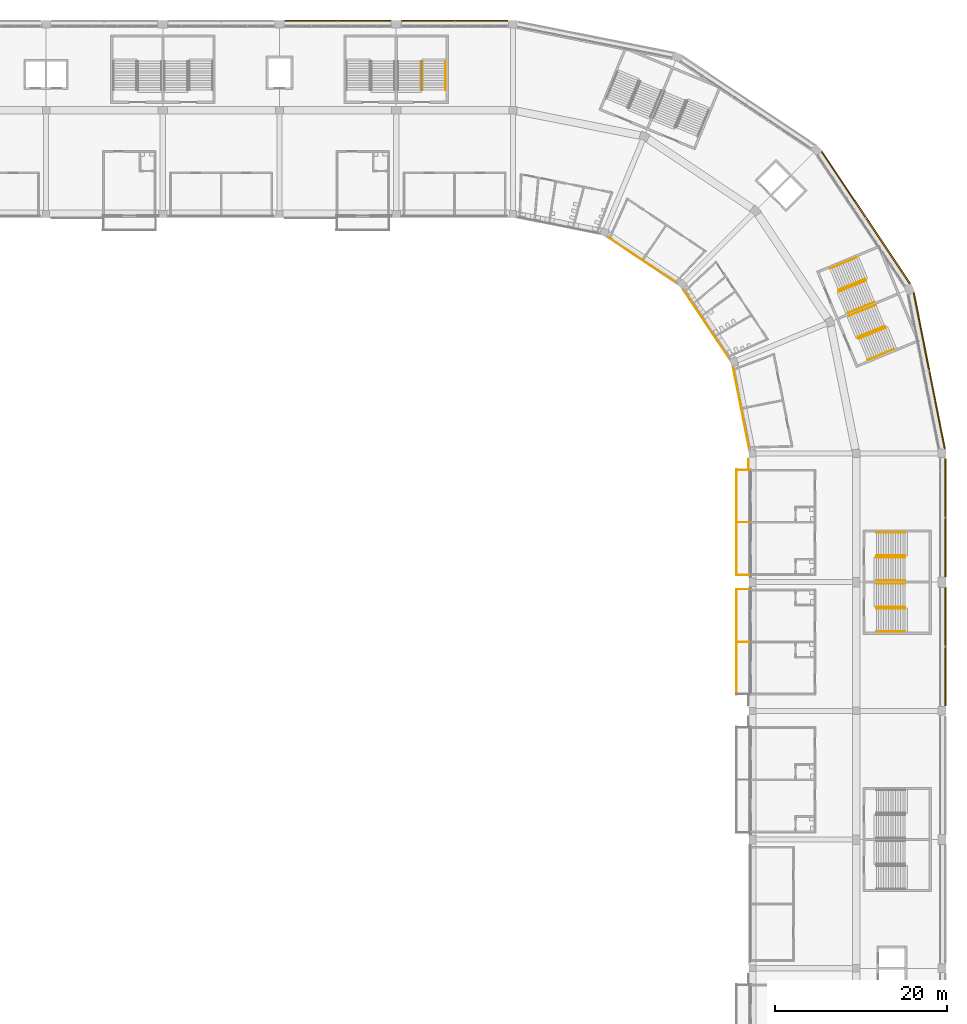
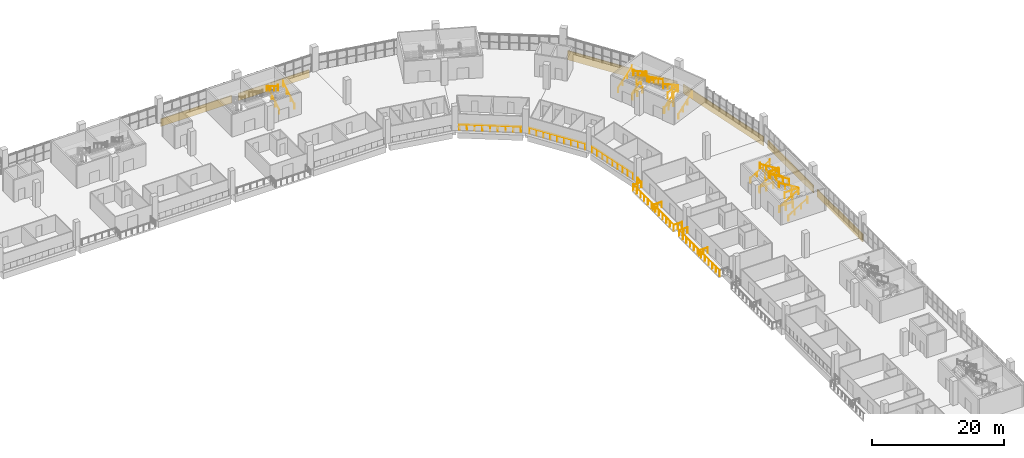
# One storey, part 191 of 199: 38 railings, 6 coverings.
"""IFC4 building model written with IfcOpenShell, lengths in metres."""

from ifc_helpers import new_model, si_unit, direction, frame, origin, origin_2d, place, context, subcontext, project, spatial, polyline, circle, outline, extrude, material, layer, layer_set, type_object, element, save


model = new_model("IFC4")

# Units and contexts
model_context = context("Model", 3, precision=1e-05, world=origin(), true_north=direction((0.0, 1.0)))
body_context = subcontext(model_context, "Body", "Model", "MODEL_VIEW")
ifc_project = project(units=[si_unit("LENGTHUNIT", "METRE"), si_unit("AREAUNIT", "SQUARE_METRE"), si_unit("VOLUMEUNIT", "CUBIC_METRE"), si_unit("PLANEANGLEUNIT", "RADIAN"), si_unit("MASSUNIT", "GRAM", prefix="KILO")], contexts=[model_context])

# Site, building, storey
site_placement = place(None, origin())
site = spatial("IfcSite", under=ifc_project, at=site_placement, CompositionType="ELEMENT")
building_placement = place(site_placement, origin())
building = spatial("IfcBuilding", under=site, at=building_placement, Name="Ogive Plaza Stadium", CompositionType="ELEMENT")
storey_placement = place(building_placement, frame((0.0, 0.0, 9.0)))
storey = spatial("IfcBuildingStorey", under=building, at=storey_placement, Name="L02", CompositionType="ELEMENT", Elevation=9.0)

# Railings
ifc_material_1 = material(Name="Steel ASTM A572 Grade 50", Category="steel")
railing_type_1 = type_object("IfcRailingType", Name="Guard 1100", PredefinedType="GUARDRAIL", material=ifc_material_1)
for number, where, name in (
    (1, (76.35009765625, 34.52490234375, 0.0), "Stair well guard ST02A L02"),
    (2, (77.31005859375, 34.52490234375, 2.25), "Stair well guard ST02A L02"),
    (3, (76.35009765625, 40.47509765625, 0.0), "Stair well guard ST02B L02"),
    (4, (77.31005859375, 40.47509765625, 2.25), "Stair well guard ST02B L02"),
):
    element("IfcRailing", number, at=place(storey_placement, frame(where)), inside=storey, type_object=railing_type_1, Name=name, PredefinedType="GUARDRAIL", context=body_context, shape_type="SweptSolid", body=[
        extrude(circle(Radius=0.02392578125, at=origin_2d()), frame((0.0, 0.0, 1.076171875), z_axis=(1.0, 0.0, 0.0), x_axis=(0.0, 1.0, 0.0)), (0.0, 0.0, 1.0), 2.39990234375),
        extrude(circle(Radius=0.02099609375, at=origin_2d()), origin(), (0.0, 0.0, 1.0), 1.052001953125),
        extrude(circle(Radius=0.02099609375, at=origin_2d()), frame((1.199951171875, 0.0, 0.0)), (0.0, 0.0, 1.0), 1.052001953125),
        extrude(circle(Radius=0.02099609375, at=origin_2d()), frame((2.39990234375, 0.0, 0.0)), (0.0, 0.0, 1.0), 1.052001953125),
    ])
for number, where, name in (
    (5, (74.264892578125, 65.9580078125, 0.0), "Stair well guard ST40A L02"),
    (6, (75.151611328125, 66.325439453125, 2.25), "Stair well guard ST40A L02"),
    (7, (71.98779296875, 71.455078125, 0.0), "Stair well guard ST40B L02"),
    (8, (72.874755859375, 71.822509765625, 2.25), "Stair well guard ST40B L02"),
):
    element("IfcRailing", number, at=place(storey_placement, frame(where)), inside=storey, type_object=railing_type_1, Name=name, PredefinedType="GUARDRAIL", context=body_context, shape_type="SweptSolid", body=[
        extrude(circle(Radius=0.02392578125, at=origin_2d()), frame((0.0, 0.0, 1.076171875), z_axis=(0.923875488976, 0.382693194178, 0.0), x_axis=(-0.382693194178, 0.923875488976, 0.0)), (0.0, 0.0, 1.0), 2.39990234375),
        extrude(circle(Radius=0.02099609375, at=origin_2d()), origin(), (0.0, 0.0, 1.0), 1.052001953125),
        extrude(circle(Radius=0.02099609375, at=origin_2d()), frame((1.108642578125, 0.459228515625, 0.0)), (0.0, 0.0, 1.0), 1.052001953125),
        extrude(circle(Radius=0.02099609375, at=origin_2d()), frame((2.21728515625, 0.91845703125, 0.0)), (0.0, 0.0, 1.0), 1.052001953125),
    ])
railing_1_placement = place(storey_placement, frame((45.163330078125, 77.65625, 0.0)))
element("IfcRailing", 9, at=railing_1_placement, inside=storey, type_object=railing_type_1, Name="Guard L02 B38", PredefinedType="GUARDRAIL", context=body_context, shape_type="SweptSolid", body=[
    extrude(circle(Radius=0.02392578125, at=origin_2d()), frame((0.0, 0.0, 1.076171875), z_axis=(0.831473741836, -0.555564052686, 0.0), x_axis=(0.555564052686, 0.831473741836, 0.0)), (0.0, 0.0, 1.0), 9.388427734375),
    extrude(circle(Radius=0.02099609375, at=origin_2d()), origin(), (0.0, 0.0, 1.0), 1.052001953125),
    extrude(circle(Radius=0.02099609375, at=origin_2d()), frame((0.975830078125, -0.65185546875, 0.0)), (0.0, 0.0, 1.0), 1.052001953125),
    extrude(circle(Radius=0.02099609375, at=origin_2d()), frame((1.95166015625, -1.303955078125, 0.0)), (0.0, 0.0, 1.0), 1.052001953125),
    extrude(circle(Radius=0.02099609375, at=origin_2d()), frame((2.92724609375, -1.9560546875, 0.0)), (0.0, 0.0, 1.0), 1.052001953125),
    extrude(circle(Radius=0.02099609375, at=origin_2d()), frame((3.903076171875, -2.60791015625, 0.0)), (0.0, 0.0, 1.0), 1.052001953125),
    extrude(circle(Radius=0.02099609375, at=origin_2d()), frame((4.87890625, -3.259765625, 0.0)), (0.0, 0.0, 1.0), 1.052001953125),
    extrude(circle(Radius=0.02099609375, at=origin_2d()), frame((5.8544921875, -3.911865234375, 0.0)), (0.0, 0.0, 1.0), 1.052001953125),
    extrude(circle(Radius=0.02099609375, at=origin_2d()), frame((6.830322265625, -4.56396484375, 0.0)), (0.0, 0.0, 1.0), 1.052001953125),
    extrude(circle(Radius=0.02099609375, at=origin_2d()), frame((7.80615234375, -5.2158203125, 0.0)), (0.0, 0.0, 1.0), 1.052001953125),
])
railing_2_placement = place(storey_placement, frame((53.9404296875, 71.469482421875, 0.0)))
element("IfcRailing", 10, at=railing_2_placement, inside=storey, type_object=railing_type_1, Name="Guard L02 B39", PredefinedType="GUARDRAIL", context=body_context, shape_type="SweptSolid", body=[
    extrude(circle(Radius=0.02392578125, at=origin_2d()), frame((0.0, 0.0, 1.076171875), z_axis=(0.555564052686, -0.831473741836, 0.0), x_axis=(0.831473741836, 0.555564052686, 0.0)), (0.0, 0.0, 1.0), 9.388427734375),
    extrude(circle(Radius=0.02099609375, at=origin_2d()), origin(), (0.0, 0.0, 1.0), 1.052001953125),
    extrude(circle(Radius=0.02099609375, at=origin_2d()), frame((0.65185546875, -0.975830078125, 0.0)), (0.0, 0.0, 1.0), 1.052001953125),
    extrude(circle(Radius=0.02099609375, at=origin_2d()), frame((1.303955078125, -1.95166015625, 0.0)), (0.0, 0.0, 1.0), 1.052001953125),
    extrude(circle(Radius=0.02099609375, at=origin_2d()), frame((1.9560546875, -2.92724609375, 0.0)), (0.0, 0.0, 1.0), 1.052001953125),
    extrude(circle(Radius=0.02099609375, at=origin_2d()), frame((2.60791015625, -3.903076171875, 0.0)), (0.0, 0.0, 1.0), 1.052001953125),
    extrude(circle(Radius=0.02099609375, at=origin_2d()), frame((3.259765625, -4.87890625, 0.0)), (0.0, 0.0, 1.0), 1.052001953125),
    extrude(circle(Radius=0.02099609375, at=origin_2d()), frame((3.911865234375, -5.8544921875, 0.0)), (0.0, 0.0, 1.0), 1.052001953125),
    extrude(circle(Radius=0.02099609375, at=origin_2d()), frame((4.56396484375, -6.830322265625, 0.0)), (0.0, 0.0, 1.0), 1.052001953125),
    extrude(circle(Radius=0.02099609375, at=origin_2d()), frame((5.2158203125, -7.80615234375, 0.0)), (0.0, 0.0, 1.0), 1.052001953125),
])
railing_3_placement = place(storey_placement, frame((59.681884765625, 62.39453125, 0.0)))
element("IfcRailing", 11, at=railing_3_placement, inside=storey, type_object=railing_type_1, Name="Guard L02 B40", PredefinedType="GUARDRAIL", context=body_context, shape_type="SweptSolid", body=[
    extrude(circle(Radius=0.02392578125, at=origin_2d()), frame((0.0, 0.0, 1.076171875), z_axis=(0.19508584817, -0.980786170296, 0.0), x_axis=(0.980786170296, 0.19508584817, 0.0)), (0.0, 0.0, 1.0), 9.388427734375),
    extrude(circle(Radius=0.02099609375, at=origin_2d()), origin(), (0.0, 0.0, 1.0), 1.052001953125),
    extrude(circle(Radius=0.02099609375, at=origin_2d()), frame((0.22900390625, -1.15087890625, 0.0)), (0.0, 0.0, 1.0), 1.052001953125),
    extrude(circle(Radius=0.02099609375, at=origin_2d()), frame((0.4580078125, -2.302001953125, 0.0)), (0.0, 0.0, 1.0), 1.052001953125),
    extrude(circle(Radius=0.02099609375, at=origin_2d()), frame((0.686767578125, -3.453125, 0.0)), (0.0, 0.0, 1.0), 1.052001953125),
    extrude(circle(Radius=0.02099609375, at=origin_2d()), frame((0.915771484375, -4.60400390625, 0.0)), (0.0, 0.0, 1.0), 1.052001953125),
    extrude(circle(Radius=0.02099609375, at=origin_2d()), frame((1.144775390625, -5.7548828125, 0.0)), (0.0, 0.0, 1.0), 1.052001953125),
    extrude(circle(Radius=0.02099609375, at=origin_2d()), frame((1.37353515625, -6.906005859375, 0.0)), (0.0, 0.0, 1.0), 1.052001953125),
    extrude(circle(Radius=0.02099609375, at=origin_2d()), frame((1.6025390625, -8.05712890625, 0.0)), (0.0, 0.0, 1.0), 1.052001953125),
    extrude(circle(Radius=0.02099609375, at=origin_2d()), frame((1.83154296875, -9.2080078125, 0.0)), (0.0, 0.0, 1.0), 1.052001953125),
])
railing_4_placement = place(storey_placement, frame((60.050048828125, 38.324951171875, 0.0)))
element("IfcRailing", 12, at=railing_4_placement, inside=storey, type_object=railing_type_1, Name="Terrace guard B01", PredefinedType="GUARDRAIL", context=body_context, shape_type="SweptSolid", body=[
    extrude(circle(Radius=0.02392578125, at=origin_2d()), frame((0.0, 0.0, 1.076171875), z_axis=(0.0, 1.0, 0.0), x_axis=(-1.0, 0.0, 0.0)), (0.0, 0.0, 1.0), 12.300048828125),
    extrude(circle(Radius=0.02099609375, at=origin_2d()), origin(), (0.0, 0.0, 1.0), 1.052001953125),
    extrude(circle(Radius=0.02099609375, at=origin_2d()), frame((0.0, 1.1181640625, 0.0)), (0.0, 0.0, 1.0), 1.052001953125),
    extrude(circle(Radius=0.02099609375, at=origin_2d()), frame((0.0, 2.236328125, 0.0)), (0.0, 0.0, 1.0), 1.052001953125),
    extrude(circle(Radius=0.02099609375, at=origin_2d()), frame((0.0, 3.3544921875, 0.0)), (0.0, 0.0, 1.0), 1.052001953125),
    extrude(circle(Radius=0.02099609375, at=origin_2d()), frame((0.0, 4.47265625, 0.0)), (0.0, 0.0, 1.0), 1.052001953125),
    extrude(circle(Radius=0.02099609375, at=origin_2d()), frame((0.0, 5.5908203125, 0.0)), (0.0, 0.0, 1.0), 1.052001953125),
    extrude(circle(Radius=0.02099609375, at=origin_2d()), frame((0.0, 6.709228515625, 0.0)), (0.0, 0.0, 1.0), 1.052001953125),
    extrude(circle(Radius=0.02099609375, at=origin_2d()), frame((0.0, 7.827392578125, 0.0)), (0.0, 0.0, 1.0), 1.052001953125),
    extrude(circle(Radius=0.02099609375, at=origin_2d()), frame((0.0, 8.945556640625, 0.0)), (0.0, 0.0, 1.0), 1.052001953125),
    extrude(circle(Radius=0.02099609375, at=origin_2d()), frame((0.0, 10.063720703125, 0.0)), (0.0, 0.0, 1.0), 1.052001953125),
    extrude(circle(Radius=0.02099609375, at=origin_2d()), frame((0.0, 11.181884765625, 0.0)), (0.0, 0.0, 1.0), 1.052001953125),
    extrude(circle(Radius=0.02099609375, at=origin_2d()), frame((0.0, 12.300048828125, 0.0)), (0.0, 0.0, 1.0), 1.052001953125),
])
railing_5_placement = place(storey_placement, frame((61.449951171875, 50.625, 0.0)))
element("IfcRailing", 13, at=railing_5_placement, inside=storey, type_object=railing_type_1, Name="Floor edge guard B01", PredefinedType="GUARDRAIL", context=body_context, shape_type="SweptSolid", body=[
    extrude(circle(Radius=0.02392578125, at=origin_2d()), frame((0.0, 0.0, 1.076171875), z_axis=(0.0, 1.0, 0.0), x_axis=(-1.0, 0.0, 0.0)), (0.0, 0.0, 1.0), 1.175048828125),
    extrude(circle(Radius=0.02099609375, at=origin_2d()), origin(), (0.0, 0.0, 1.0), 1.052001953125),
    extrude(circle(Radius=0.02099609375, at=origin_2d()), frame((0.0, 1.175048828125, 0.0)), (0.0, 0.0, 1.0), 1.052001953125),
])
for number, where, name in (
    (14, (60.050048828125, 38.324951171875, 0.0), "Terrace screen B01"),
    (15, (60.050048828125, 44.47509765625, 0.0), "Terrace screen B01"),
    (16, (60.050048828125, 50.550048828125, 0.0), "Terrace screen B01"),
):
    element("IfcRailing", number, at=place(storey_placement, frame(where)), inside=storey, type_object=railing_type_1, Name=name, PredefinedType="GUARDRAIL", context=body_context, shape_type="SweptSolid", body=[
        extrude(circle(Radius=0.02392578125, at=origin_2d()), frame((0.0, 0.0, 1.076171875), z_axis=(1.0, 0.0, 0.0), x_axis=(0.0, 1.0, 0.0)), (0.0, 0.0, 1.0), 1.449951171875),
        extrude(circle(Radius=0.02099609375, at=origin_2d()), origin(), (0.0, 0.0, 1.0), 1.052001953125),
        extrude(circle(Radius=0.02099609375, at=origin_2d()), frame((0.72509765625, 0.0, 0.0)), (0.0, 0.0, 1.0), 1.052001953125),
        extrude(circle(Radius=0.02099609375, at=origin_2d()), frame((1.449951171875, 0.0, 0.0)), (0.0, 0.0, 1.0), 1.052001953125),
    ])
railing_6_placement = place(storey_placement, frame((60.050048828125, 36.675048828125, 0.0)))
element("IfcRailing", 17, at=railing_6_placement, inside=storey, type_object=railing_type_1, Name="Terrace guard B02", PredefinedType="GUARDRAIL", context=body_context, shape_type="SweptSolid", body=[
    extrude(circle(Radius=0.02392578125, at=origin_2d()), frame((0.0, 0.0, 1.076171875), z_axis=(0.0, -1.0, 0.0), x_axis=(1.0, 0.0, 0.0)), (0.0, 0.0, 1.0), 12.300048828125),
    extrude(circle(Radius=0.02099609375, at=origin_2d()), origin(), (0.0, 0.0, 1.0), 1.052001953125),
    extrude(circle(Radius=0.02099609375, at=origin_2d()), frame((0.0, -1.1181640625, 0.0)), (0.0, 0.0, 1.0), 1.052001953125),
    extrude(circle(Radius=0.02099609375, at=origin_2d()), frame((0.0, -2.236328125, 0.0)), (0.0, 0.0, 1.0), 1.052001953125),
    extrude(circle(Radius=0.02099609375, at=origin_2d()), frame((0.0, -3.3544921875, 0.0)), (0.0, 0.0, 1.0), 1.052001953125),
    extrude(circle(Radius=0.02099609375, at=origin_2d()), frame((0.0, -4.47265625, 0.0)), (0.0, 0.0, 1.0), 1.052001953125),
    extrude(circle(Radius=0.02099609375, at=origin_2d()), frame((0.0, -5.5908203125, 0.0)), (0.0, 0.0, 1.0), 1.052001953125),
    extrude(circle(Radius=0.02099609375, at=origin_2d()), frame((0.0, -6.709228515625, 0.0)), (0.0, 0.0, 1.0), 1.052001953125),
    extrude(circle(Radius=0.02099609375, at=origin_2d()), frame((0.0, -7.827392578125, 0.0)), (0.0, 0.0, 1.0), 1.052001953125),
    extrude(circle(Radius=0.02099609375, at=origin_2d()), frame((0.0, -8.945556640625, 0.0)), (0.0, 0.0, 1.0), 1.052001953125),
    extrude(circle(Radius=0.02099609375, at=origin_2d()), frame((0.0, -10.063720703125, 0.0)), (0.0, 0.0, 1.0), 1.052001953125),
    extrude(circle(Radius=0.02099609375, at=origin_2d()), frame((0.0, -11.181884765625, 0.0)), (0.0, 0.0, 1.0), 1.052001953125),
    extrude(circle(Radius=0.02099609375, at=origin_2d()), frame((0.0, -12.300048828125, 0.0)), (0.0, 0.0, 1.0), 1.052001953125),
])
for number, where, name in (
    (18, (60.050048828125, 36.675048828125, 0.0), "Terrace screen B02"),
    (19, (60.050048828125, 30.52490234375, 0.0), "Terrace screen B02"),
):
    element("IfcRailing", number, at=place(storey_placement, frame(where)), inside=storey, type_object=railing_type_1, Name=name, PredefinedType="GUARDRAIL", context=body_context, shape_type="SweptSolid", body=[
        extrude(circle(Radius=0.02392578125, at=origin_2d()), frame((0.0, 0.0, 1.076171875), z_axis=(1.0, 0.0, 0.0), x_axis=(0.0, 1.0, 0.0)), (0.0, 0.0, 1.0), 1.449951171875),
        extrude(circle(Radius=0.02099609375, at=origin_2d()), origin(), (0.0, 0.0, 1.0), 1.052001953125),
        extrude(circle(Radius=0.02099609375, at=origin_2d()), frame((0.72509765625, 0.0, 0.0)), (0.0, 0.0, 1.0), 1.052001953125),
        extrude(circle(Radius=0.02099609375, at=origin_2d()), frame((1.449951171875, 0.0, 0.0)), (0.0, 0.0, 1.0), 1.052001953125),
    ])
ifc_material_2 = material(Name="Steel ASTM A572 Grade 50", Category="steel")
railing_type_2 = type_object("IfcRailingType", Name="Handrail 900", PredefinedType="HANDRAIL", material=ifc_material_2)
for number, where, name in (
    (20, (76.35009765625, 31.735107421875, 0.173095703125), "Handrail ST02A L02"),
    (21, (76.35009765625, 34.4150390625, 0.173095703125), "Handrail ST02A L02"),
):
    element("IfcRailing", number, at=place(storey_placement, frame(where)), inside=storey, type_object=railing_type_2, Name=name, PredefinedType="HANDRAIL", context=body_context, shape_type="SweptSolid", body=[
        extrude(circle(Radius=0.02392578125, at=origin_2d()), frame((0.0, 0.0, 0.8759765625), z_axis=(0.850606129759, 0.0, 0.525803396734), x_axis=(0.0, 1.0, 0.0)), (0.0, 0.0, 1.0), 3.949951171875),
        extrude(circle(Radius=0.02099609375, at=origin_2d()), origin(), (0.0, 0.0, 1.0), 0.851806640625),
        extrude(circle(Radius=0.02099609375, at=origin_2d()), frame((1.119873046875, 0.0, 0.6923828125)), (0.0, 0.0, 1.0), 0.851806640625),
        extrude(circle(Radius=0.02099609375, at=origin_2d()), frame((2.239990234375, 0.0, 1.384521484375)), (0.0, 0.0, 1.0), 0.851806640625),
        extrude(circle(Radius=0.02099609375, at=origin_2d()), frame((3.35986328125, 0.0, 2.076904296875)), (0.0, 0.0, 1.0), 1.10009765625),
    ])
for number, where, name in (
    (22, (79.7099609375, 34.635009765625, 2.423095703125), "Handrail ST02A L02"),
    (23, (79.7099609375, 37.31494140625, 2.423095703125), "Handrail ST02A L02"),
):
    element("IfcRailing", number, at=place(storey_placement, frame(where)), inside=storey, type_object=railing_type_2, Name=name, PredefinedType="HANDRAIL", context=body_context, shape_type="SweptSolid", body=[
        extrude(circle(Radius=0.02392578125, at=origin_2d()), frame((0.0, 0.0, 0.8759765625), z_axis=(-0.850606129759, 0.0, 0.525803396734), x_axis=(0.0, -1.0, 0.0)), (0.0, 0.0, 1.0), 3.949951171875),
        extrude(circle(Radius=0.02099609375, at=origin_2d()), origin(), (0.0, 0.0, 1.0), 0.851806640625),
        extrude(circle(Radius=0.02099609375, at=origin_2d()), frame((-1.119873046875, 0.0, 0.6923828125)), (0.0, 0.0, 1.0), 0.851806640625),
        extrude(circle(Radius=0.02099609375, at=origin_2d()), frame((-2.239990234375, 0.0, 1.384521484375)), (0.0, 0.0, 1.0), 0.851806640625),
        extrude(circle(Radius=0.02099609375, at=origin_2d()), frame((-3.35986328125, 0.0, 2.076904296875)), (0.0, 0.0, 1.0), 1.10009765625),
    ])
for number, where, name in (
    (24, (76.35009765625, 40.5849609375, 0.173095703125), "Handrail ST02B L02"),
    (25, (76.35009765625, 43.264892578125, 0.173095703125), "Handrail ST02B L02"),
):
    element("IfcRailing", number, at=place(storey_placement, frame(where)), inside=storey, type_object=railing_type_2, Name=name, PredefinedType="HANDRAIL", context=body_context, shape_type="SweptSolid", body=[
        extrude(circle(Radius=0.02392578125, at=origin_2d()), frame((0.0, 0.0, 0.8759765625), z_axis=(0.850606129759, 0.0, 0.525803396734), x_axis=(0.0, 1.0, 0.0)), (0.0, 0.0, 1.0), 3.949951171875),
        extrude(circle(Radius=0.02099609375, at=origin_2d()), origin(), (0.0, 0.0, 1.0), 0.851806640625),
        extrude(circle(Radius=0.02099609375, at=origin_2d()), frame((1.119873046875, 0.0, 0.6923828125)), (0.0, 0.0, 1.0), 0.851806640625),
        extrude(circle(Radius=0.02099609375, at=origin_2d()), frame((2.239990234375, 0.0, 1.384521484375)), (0.0, 0.0, 1.0), 0.851806640625),
        extrude(circle(Radius=0.02099609375, at=origin_2d()), frame((3.35986328125, 0.0, 2.076904296875)), (0.0, 0.0, 1.0), 1.10009765625),
    ])
for number, where, name in (
    (26, (79.7099609375, 37.68505859375, 2.423095703125), "Handrail ST02B L02"),
    (27, (79.7099609375, 40.364990234375, 2.423095703125), "Handrail ST02B L02"),
):
    element("IfcRailing", number, at=place(storey_placement, frame(where)), inside=storey, type_object=railing_type_2, Name=name, PredefinedType="HANDRAIL", context=body_context, shape_type="SweptSolid", body=[
        extrude(circle(Radius=0.02392578125, at=origin_2d()), frame((0.0, 0.0, 0.8759765625), z_axis=(-0.850606129759, 0.0, 0.525803396734), x_axis=(0.0, -1.0, 0.0)), (0.0, 0.0, 1.0), 3.949951171875),
        extrude(circle(Radius=0.02099609375, at=origin_2d()), origin(), (0.0, 0.0, 1.0), 0.851806640625),
        extrude(circle(Radius=0.02099609375, at=origin_2d()), frame((-1.119873046875, 0.0, 0.6923828125)), (0.0, 0.0, 1.0), 0.851806640625),
        extrude(circle(Radius=0.02099609375, at=origin_2d()), frame((-2.239990234375, 0.0, 1.384521484375)), (0.0, 0.0, 1.0), 0.851806640625),
        extrude(circle(Radius=0.02099609375, at=origin_2d()), frame((-3.35986328125, 0.0, 2.076904296875)), (0.0, 0.0, 1.0), 1.10009765625),
    ])
for number, where, name in (
    (28, (26.1650390625, 94.85009765625, 0.173095703125), "Handrail ST36A L02"),
    (29, (23.485107421875, 94.85009765625, 0.173095703125), "Handrail ST36A L02"),
):
    element("IfcRailing", number, at=place(storey_placement, frame(where)), inside=storey, type_object=railing_type_2, Name=name, PredefinedType="HANDRAIL", context=body_context, shape_type="SweptSolid", body=[
        extrude(circle(Radius=0.02392578125, at=origin_2d()), frame((0.0, 0.0, 0.8759765625), z_axis=(0.0, 0.850606129759, 0.525803396734), x_axis=(-1.0, 0.0, 0.0)), (0.0, 0.0, 1.0), 3.949951171875),
        extrude(circle(Radius=0.02099609375, at=origin_2d()), origin(), (0.0, 0.0, 1.0), 0.851806640625),
        extrude(circle(Radius=0.02099609375, at=origin_2d()), frame((0.0, 1.119873046875, 0.6923828125)), (0.0, 0.0, 1.0), 0.851806640625),
        extrude(circle(Radius=0.02099609375, at=origin_2d()), frame((0.0, 2.239990234375, 1.384521484375)), (0.0, 0.0, 1.0), 0.851806640625),
        extrude(circle(Radius=0.02099609375, at=origin_2d()), frame((0.0, 3.35986328125, 2.076904296875)), (0.0, 0.0, 1.0), 1.10009765625),
    ])
railing_7_placement = place(storey_placement, frame((23.264892578125, 98.2099609375, 2.423095703125)))
element("IfcRailing", 30, at=railing_7_placement, inside=storey, type_object=railing_type_2, Name="Handrail ST36A L02", PredefinedType="HANDRAIL", context=body_context, shape_type="SweptSolid", body=[
    extrude(circle(Radius=0.02392578125, at=origin_2d()), frame((0.0, 0.0, 0.8759765625), z_axis=(0.0, -0.850606129759, 0.525803396734), x_axis=(1.0, 0.0, 0.0)), (0.0, 0.0, 1.0), 3.949951171875),
    extrude(circle(Radius=0.02099609375, at=origin_2d()), origin(), (0.0, 0.0, 1.0), 0.851806640625),
    extrude(circle(Radius=0.02099609375, at=origin_2d()), frame((0.0, -1.119873046875, 0.6923828125)), (0.0, 0.0, 1.0), 0.851806640625),
    extrude(circle(Radius=0.02099609375, at=origin_2d()), frame((0.0, -2.239990234375, 1.384521484375)), (0.0, 0.0, 1.0), 0.851806640625),
    extrude(circle(Radius=0.02099609375, at=origin_2d()), frame((0.0, -3.35986328125, 2.076904296875)), (0.0, 0.0, 1.0), 1.10009765625),
])
for number, where, name in (
    (31, (75.33251953125, 63.38037109375, 0.173095703125), "Handrail ST40A L02"),
    (32, (74.306884765625, 65.8564453125, 0.173095703125), "Handrail ST40A L02"),
):
    element("IfcRailing", number, at=place(storey_placement, frame(where)), inside=storey, type_object=railing_type_2, Name=name, PredefinedType="HANDRAIL", context=body_context, shape_type="SweptSolid", body=[
        extrude(circle(Radius=0.02392578125, at=origin_2d()), frame((0.0, 0.0, 0.8759765625), z_axis=(0.785862990074, 0.32553207776, 0.525783441334), x_axis=(-0.382700459954, 0.923872479269, 0.0)), (0.0, 0.0, 1.0), 3.9501953125),
        extrude(circle(Radius=0.02099609375, at=origin_2d()), origin(), (0.0, 0.0, 1.0), 0.851806640625),
        extrude(circle(Radius=0.02099609375, at=origin_2d()), frame((1.03466796875, 0.4287109375, 0.6923828125)), (0.0, 0.0, 1.0), 0.851806640625),
        extrude(circle(Radius=0.02099609375, at=origin_2d()), frame((2.069580078125, 0.857177734375, 1.384521484375)), (0.0, 0.0, 1.0), 0.851806640625),
        extrude(circle(Radius=0.02099609375, at=origin_2d()), frame((3.104248046875, 1.285888671875, 2.076904296875)), (0.0, 0.0, 1.0), 1.10009765625),
    ])
railing_8_placement = place(storey_placement, frame((77.326904296875, 67.345458984375, 2.423095703125)))
element("IfcRailing", 33, at=railing_8_placement, inside=storey, type_object=railing_type_2, Name="Handrail ST40A L02", PredefinedType="HANDRAIL", context=body_context, shape_type="SweptSolid", body=[
    extrude(circle(Radius=0.02392578125, at=origin_2d()), frame((0.0, 0.0, 0.8759765625), z_axis=(-0.785878800478, -0.325476819766, 0.525794019321), x_axis=(0.382638439086, -0.923898168054, 0.0)), (0.0, 0.0, 1.0), 3.949951171875),
    extrude(circle(Radius=0.02099609375, at=origin_2d()), origin(), (0.0, 0.0, 1.0), 0.851806640625),
    extrude(circle(Radius=0.02099609375, at=origin_2d()), frame((-1.03466796875, -0.428466796875, 0.6923828125)), (0.0, 0.0, 1.0), 0.851806640625),
    extrude(circle(Radius=0.02099609375, at=origin_2d()), frame((-2.069580078125, -0.857177734375, 1.384521484375)), (0.0, 0.0, 1.0), 0.851806640625),
    extrude(circle(Radius=0.02099609375, at=origin_2d()), frame((-3.104248046875, -1.28564453125, 2.076904296875)), (0.0, 0.0, 1.0), 1.10009765625),
])
railing_9_placement = place(storey_placement, frame((76.30126953125, 69.821533203125, 2.423095703125)))
element("IfcRailing", 34, at=railing_9_placement, inside=storey, type_object=railing_type_2, Name="Handrail ST40A L02", PredefinedType="HANDRAIL", context=body_context, shape_type="SweptSolid", body=[
    extrude(circle(Radius=0.02392578125, at=origin_2d()), frame((0.0, 0.0, 0.8759765625), z_axis=(-0.785862990074, -0.32553207776, 0.525783441334), x_axis=(0.382700459954, -0.923872479269, 0.0)), (0.0, 0.0, 1.0), 3.9501953125),
    extrude(circle(Radius=0.02099609375, at=origin_2d()), origin(), (0.0, 0.0, 1.0), 0.851806640625),
    extrude(circle(Radius=0.02099609375, at=origin_2d()), frame((-1.03466796875, -0.4287109375, 0.6923828125)), (0.0, 0.0, 1.0), 0.851806640625),
    extrude(circle(Radius=0.02099609375, at=origin_2d()), frame((-2.069580078125, -0.857177734375, 1.384521484375)), (0.0, 0.0, 1.0), 0.851806640625),
    extrude(circle(Radius=0.02099609375, at=origin_2d()), frame((-3.104248046875, -1.285888671875, 2.076904296875)), (0.0, 0.0, 1.0), 1.10009765625),
])
railing_10_placement = place(storey_placement, frame((71.94580078125, 71.556884765625, 0.173095703125)))
element("IfcRailing", 35, at=railing_10_placement, inside=storey, type_object=railing_type_2, Name="Handrail ST40B L02", PredefinedType="HANDRAIL", context=body_context, shape_type="SweptSolid", body=[
    extrude(circle(Radius=0.02392578125, at=origin_2d()), frame((0.0, 0.0, 0.8759765625), z_axis=(0.785878800478, 0.325476819766, 0.525794019321), x_axis=(-0.382638439086, 0.923898168054, 0.0)), (0.0, 0.0, 1.0), 3.949951171875),
    extrude(circle(Radius=0.02099609375, at=origin_2d()), origin(), (0.0, 0.0, 1.0), 0.851806640625),
    extrude(circle(Radius=0.02099609375, at=origin_2d()), frame((1.03466796875, 0.428466796875, 0.6923828125)), (0.0, 0.0, 1.0), 0.851806640625),
    extrude(circle(Radius=0.02099609375, at=origin_2d()), frame((2.069580078125, 0.857177734375, 1.384521484375)), (0.0, 0.0, 1.0), 0.851806640625),
    extrude(circle(Radius=0.02099609375, at=origin_2d()), frame((3.104248046875, 1.28564453125, 2.076904296875)), (0.0, 0.0, 1.0), 1.10009765625),
])
railing_11_placement = place(storey_placement, frame((70.920166015625, 74.03271484375, 0.173095703125)))
element("IfcRailing", 36, at=railing_11_placement, inside=storey, type_object=railing_type_2, Name="Handrail ST40B L02", PredefinedType="HANDRAIL", context=body_context, shape_type="SweptSolid", body=[
    extrude(circle(Radius=0.02392578125, at=origin_2d()), frame((0.0, 0.0, 0.8759765625), z_axis=(0.785862990074, 0.32553207776, 0.525783441334), x_axis=(-0.382700459954, 0.923872479269, 0.0)), (0.0, 0.0, 1.0), 3.9501953125),
    extrude(circle(Radius=0.02099609375, at=origin_2d()), origin(), (0.0, 0.0, 1.0), 0.851806640625),
    extrude(circle(Radius=0.02099609375, at=origin_2d()), frame((1.03466796875, 0.4287109375, 0.6923828125)), (0.0, 0.0, 1.0), 0.851806640625),
    extrude(circle(Radius=0.02099609375, at=origin_2d()), frame((2.069580078125, 0.857177734375, 1.384521484375)), (0.0, 0.0, 1.0), 0.851806640625),
    extrude(circle(Radius=0.02099609375, at=origin_2d()), frame((3.104248046875, 1.285888671875, 2.076904296875)), (0.0, 0.0, 1.0), 1.10009765625),
])
railing_12_placement = place(storey_placement, frame((76.15966796875, 70.163330078125, 2.423095703125)))
element("IfcRailing", 37, at=railing_12_placement, inside=storey, type_object=railing_type_2, Name="Handrail ST40B L02", PredefinedType="HANDRAIL", context=body_context, shape_type="SweptSolid", body=[
    extrude(circle(Radius=0.02392578125, at=origin_2d()), frame((0.0, 0.0, 0.8759765625), z_axis=(-0.785862990074, -0.32553207776, 0.525783441334), x_axis=(0.382700459954, -0.923872479269, 0.0)), (0.0, 0.0, 1.0), 3.9501953125),
    extrude(circle(Radius=0.02099609375, at=origin_2d()), origin(), (0.0, 0.0, 1.0), 0.851806640625),
    extrude(circle(Radius=0.02099609375, at=origin_2d()), frame((-1.03466796875, -0.4287109375, 0.6923828125)), (0.0, 0.0, 1.0), 0.851806640625),
    extrude(circle(Radius=0.02099609375, at=origin_2d()), frame((-2.069580078125, -0.857177734375, 1.384521484375)), (0.0, 0.0, 1.0), 0.851806640625),
    extrude(circle(Radius=0.02099609375, at=origin_2d()), frame((-3.104248046875, -1.285888671875, 2.076904296875)), (0.0, 0.0, 1.0), 1.10009765625),
])
railing_13_placement = place(storey_placement, frame((75.134033203125, 72.639404296875, 2.423095703125)))
element("IfcRailing", 38, at=railing_13_placement, inside=storey, type_object=railing_type_2, Name="Handrail ST40B L02", PredefinedType="HANDRAIL", context=body_context, shape_type="SweptSolid", body=[
    extrude(circle(Radius=0.02392578125, at=origin_2d()), frame((0.0, 0.0, 0.8759765625), z_axis=(-0.78583935255, -0.325547889718, 0.525808980033), x_axis=(0.382726151683, -0.923861836433, 0.0)), (0.0, 0.0, 1.0), 3.949951171875),
    extrude(circle(Radius=0.02099609375, at=origin_2d()), origin(), (0.0, 0.0, 1.0), 0.851806640625),
    extrude(circle(Radius=0.02099609375, at=origin_2d()), frame((-1.03466796875, -0.4287109375, 0.6923828125)), (0.0, 0.0, 1.0), 0.851806640625),
    extrude(circle(Radius=0.02099609375, at=origin_2d()), frame((-2.0693359375, -0.857177734375, 1.384521484375)), (0.0, 0.0, 1.0), 0.851806640625),
    extrude(circle(Radius=0.02099609375, at=origin_2d()), frame((-3.10400390625, -1.285888671875, 2.076904296875)), (0.0, 0.0, 1.0), 1.10009765625),
])

# Coverings
ifc_material_3 = material(Name="Cast stone (reconstituted limestone)", Category="masonry")
ifc_layer = layer(ifc_material_3, 0.159912109375)
ifc_layer_set = layer_set([ifc_layer], Name="Precast spandrel cladding 160")
covering_type = type_object("IfcCoveringType", Name="Precast spandrel cladding 160", PredefinedType="CLADDING", material=ifc_layer_set)
covering_1_placement = place(storey_placement, frame((0.0, 0.0, -1.409912109375)))
element("IfcCovering", 39, at=covering_1_placement, inside=storey, type_object=covering_type, Name="SPANDREL CLADDING B01 L02", PredefinedType="CLADDING", context=body_context, shape_type="SweptSolid", body=[
    extrude(outline(polyline([(84.35009765625, 51.89990234375), (84.35009765625, 38.10009765625), (84.510009765625, 38.10009765625), (84.510009765625, 51.89990234375), (84.35009765625, 51.89990234375)])), origin(), (0.0, 0.0, 1.0), 1.409912109375),
])
covering_2_placement = place(storey_placement, frame((0.0, 0.0, -1.409912109375)))
element("IfcCovering", 40, at=covering_2_placement, inside=storey, type_object=covering_type, Name="SPANDREL CLADDING B02 L02", PredefinedType="CLADDING", context=body_context, shape_type="SweptSolid", body=[
    extrude(outline(polyline([(84.35009765625, 36.89990234375), (84.35009765625, 23.10009765625), (84.510009765625, 23.10009765625), (84.510009765625, 36.89990234375), (84.35009765625, 36.89990234375)])), origin(), (0.0, 0.0, 1.0), 1.409912109375),
])
covering_3_placement = place(storey_placement, frame((0.0, 0.0, -1.409912109375)))
element("IfcCovering", 41, at=covering_3_placement, inside=storey, type_object=covering_type, Name="SPANDREL CLADDING B35 L02", PredefinedType="CLADDING", context=body_context, shape_type="SweptSolid", body=[
    extrude(outline(polyline([(7.39990234375, 102.85009765625), (19.800048828125, 102.85009765625), (19.800048828125, 103.010009765625), (7.39990234375, 103.010009765625), (7.39990234375, 102.85009765625)])), origin(), (0.0, 0.0, 1.0), 1.409912109375),
])
covering_4_placement = place(storey_placement, frame((0.0, 0.0, -1.409912109375)))
element("IfcCovering", 42, at=covering_4_placement, inside=storey, type_object=covering_type, Name="SPANDREL CLADDING B36 L02", PredefinedType="CLADDING", context=body_context, shape_type="SweptSolid", body=[
    extrude(outline(polyline([(21.0, 102.85009765625), (33.39990234375, 102.85009765625), (33.39990234375, 103.010009765625), (21.0, 103.010009765625), (21.0, 102.85009765625)])), origin(), (0.0, 0.0, 1.0), 1.409912109375),
])
covering_5_placement = place(storey_placement, frame((0.0, 0.0, -1.7099609375)))
element("IfcCovering", 43, at=covering_5_placement, inside=storey, type_object=covering_type, Name="SPANDREL CLADDING B39 L02", PredefinedType="CLADDING", context=body_context, shape_type="SweptSolid", body=[
    extrude(outline(polyline([(69.919189453125, 87.641357421875), (80.212158203125, 72.237060546875), (80.34521484375, 72.325927734375), (70.05224609375, 87.730224609375), (69.919189453125, 87.641357421875)])), origin(), (0.0, 0.0, 1.0), 1.7099609375),
])
covering_6_placement = place(storey_placement, frame((0.0, 0.0, -1.7099609375)))
element("IfcCovering", 44, at=covering_6_placement, inside=storey, type_object=covering_type, Name="SPANDREL CLADDING B40 L02", PredefinedType="CLADDING", context=body_context, shape_type="SweptSolid", body=[
    extrude(outline(polyline([(80.633056640625, 71.220703125), (84.24755859375, 53.050048828125), (84.404296875, 53.081298828125), (80.7900390625, 71.251953125), (80.633056640625, 71.220703125)])), origin(), (0.0, 0.0, 1.0), 1.7099609375),
])

save(model, "model.ifc")
